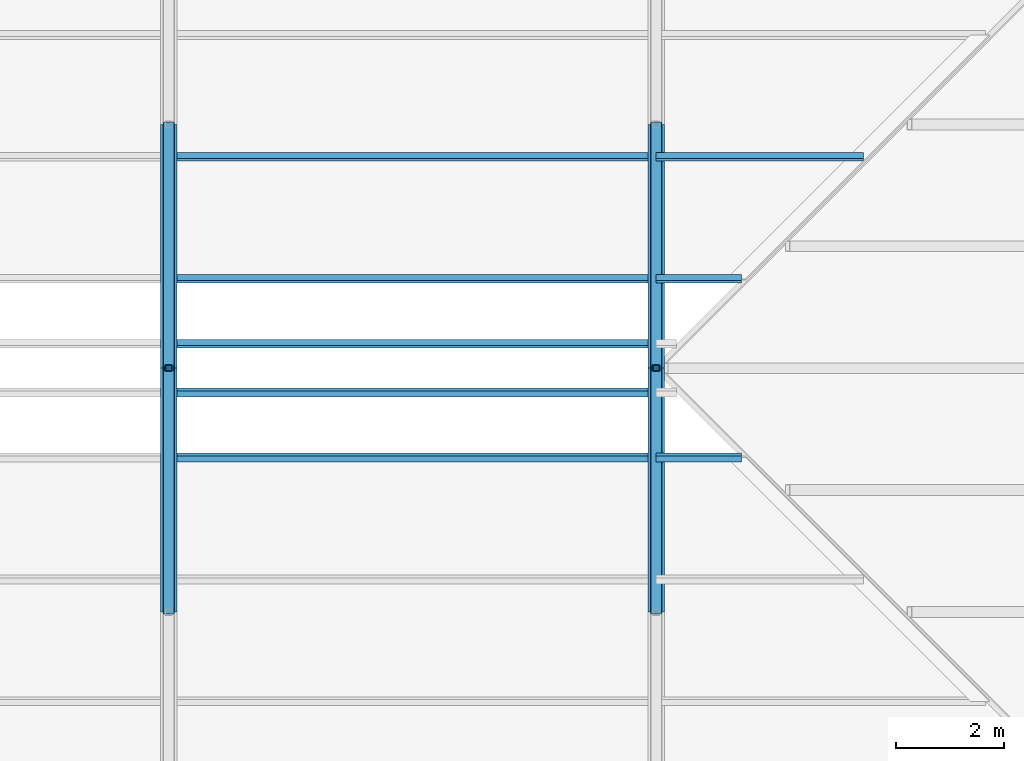
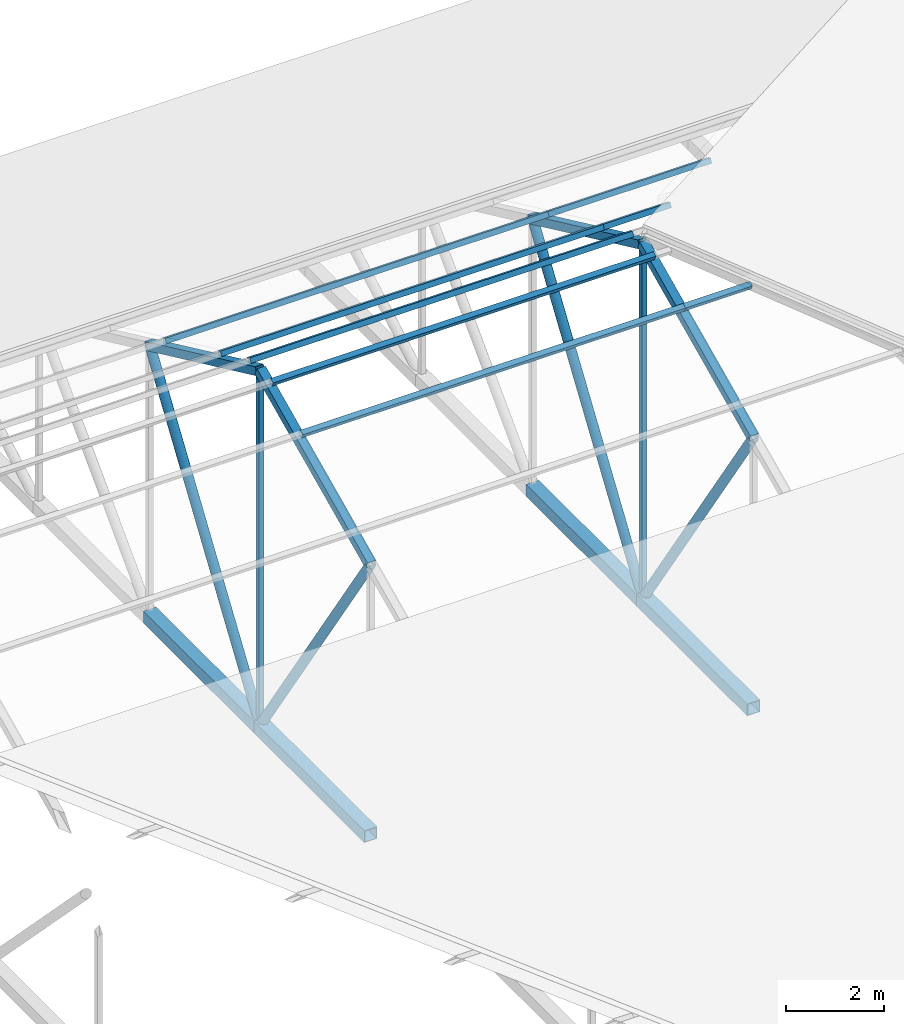
# One storey, part 65 of 154: 22 members.
"""IFC4 building model written with IfcOpenShell, lengths in metres."""

import ifcopenshell
import ifcopenshell.guid

model = None  # the IFC model being written
_history = None  # IfcOwnerHistory: only IFC2X3 demands one
_inside = {}  # id of a spatial element -> (the spatial element, [elements in it])
_under = {}  # id of a project, library or spatial element -> (it, [spatial elements below it])
_declared = {}  # id of a project -> (the project, [libraries it declares])
_typed = {}  # id of a type object -> (the type object, [elements of that type])
_made_of = {}  # id of a material, layer set ... -> (it, [elements and type objects made of it])


def new_model(schema):
    """Start an empty IFC model of exactly this schema.

    Asked for "IFC4X3", IfcOpenShell would pick the latest addendum, in which some entities
    have other attributes; the version numbers below select the first issue.
    IFC2X3 requires an IfcOwnerHistory on every rooted entity: one is made here for all.
    """
    global model, _history
    if schema == "IFC4X3":
        model = ifcopenshell.file(schema_version=(4, 3, 0, 0))
    else:
        model = ifcopenshell.file(schema=schema)
    _inside.clear()
    _under.clear()
    _declared.clear()
    _typed.clear()
    _made_of.clear()
    _history = None
    if model.schema == "IFC2X3":
        org = make("IfcOrganization", Name="unknown")
        user = make(
            "IfcPersonAndOrganization",
            ThePerson=make("IfcPerson", FamilyName="unknown"),
            TheOrganization=org,
        )
        app = make(
            "IfcApplication",
            ApplicationDeveloper=org,
            Version="unknown",
            ApplicationFullName="unknown",
            ApplicationIdentifier="unknown",
        )
        _history = make(
            "IfcOwnerHistory",
            OwningUser=user,
            OwningApplication=app,
            ChangeAction="ADDED",
            CreationDate=0,
        )
    return model


def make(cls, **values):
    """One entity of the class cls with the attributes given. An attribute that is None is left unset."""
    return model.create_entity(
        cls, **{name: value for name, value in values.items() if value is not None}
    )


def rooted(cls, **values):
    """An entity with a GlobalId (a new one), such as an element, a storey or a relation."""
    return make(cls, GlobalId=ifcopenshell.guid.new(), OwnerHistory=_history, **values)


def si_unit(unit_type, name, prefix=None):
    """IfcSIUnit, for example si_unit("LENGTHUNIT", "METRE", prefix="MILLI")."""
    return make("IfcSIUnit", UnitType=unit_type, Prefix=prefix, Name=name)


def assignment(units):
    """IfcUnitAssignment: the units of a project."""
    return None if units is None else make("IfcUnitAssignment", Units=units)


def point(xyz):
    """IfcCartesianPoint."""
    return None if xyz is None else make("IfcCartesianPoint", Coordinates=xyz)


def direction(xyz):
    """IfcDirection."""
    return None if xyz is None else make("IfcDirection", DirectionRatios=xyz)


def frame(location, z_axis=None, x_axis=None):
    """IfcAxis2Placement3D, a coordinate frame: its origin and axes. An axis left out is left unset."""
    return make(
        "IfcAxis2Placement3D",
        Location=point(location),
        Axis=direction(z_axis),
        RefDirection=direction(x_axis),
    )


def frame_2d(location, x_axis=None):
    """IfcAxis2Placement2D, a coordinate frame in the plane: its origin and x axis."""
    return make(
        "IfcAxis2Placement2D", Location=point(location), RefDirection=direction(x_axis)
    )


def origin():
    """The frame at (0, 0, 0) with its axes left unset."""
    return frame((0.0, 0.0, 0.0))


def origin_2d():
    """The frame at (0, 0) in the plane with its x axis left unset."""
    return frame_2d((0.0, 0.0))


def place(relative_to, where):
    """IfcLocalPlacement: puts the frame where relative to a parent placement (None: the world)."""
    return make(
        "IfcLocalPlacement", PlacementRelTo=relative_to, RelativePlacement=where
    )


def context(
    kind, dimensions, precision=None, world=None, true_north=None, identifier=None
):
    """IfcGeometricRepresentationContext, for example the 3D "Model" context."""
    return make(
        "IfcGeometricRepresentationContext",
        ContextIdentifier=identifier,
        ContextType=kind,
        CoordinateSpaceDimension=dimensions,
        Precision=precision,
        WorldCoordinateSystem=world,
        TrueNorth=true_north,
    )


def subcontext(parent, identifier, kind, view, scale=None):
    """IfcGeometricRepresentationSubContext, for example "Body" below "Model"."""
    return make(
        "IfcGeometricRepresentationSubContext",
        ContextIdentifier=identifier,
        ContextType=kind,
        ParentContext=parent,
        TargetScale=scale,
        TargetView=view,
    )


def project(units=None, contexts=None):
    """IfcProject with its units and contexts."""
    return rooted(
        "IfcProject",
        Name="project",
        RepresentationContexts=contexts,
        UnitsInContext=assignment(units),
    )


def spatial(cls, under=None, at=None, **own):
    """A site, building, storey or space (cls), placed at a placement, below another one or the project."""
    s = rooted(cls, ObjectPlacement=at, **own)
    if under is not None:
        _under.setdefault(under.id(), (under, []))[1].append(s)
    return s


def profile(cls, at=None, kind="AREA", **sizes):
    """A parametric profile (cls). Its sizes go by their IFC names, for example OverallWidth=200.0."""
    return make(cls, ProfileType=kind, Position=at, **sizes)


def hollow_rectangle(**sizes):
    """IfcRectangleHollowProfileDef."""
    return profile("IfcRectangleHollowProfileDef", **sizes)


def hollow_circle(**sizes):
    """IfcCircleHollowProfileDef."""
    return profile("IfcCircleHollowProfileDef", **sizes)


def extrude(swept, where, along, depth):
    """IfcExtrudedAreaSolid: the profile swept, set in the frame where, extruded along a direction by depth."""
    return make(
        "IfcExtrudedAreaSolid",
        SweptArea=swept,
        Position=where,
        ExtrudedDirection=direction(along),
        Depth=depth,
    )


def shape(context_of_items, identifier, shape_type, items):
    """IfcShapeRepresentation: the items that make up one representation, for example the "Body"."""
    return make(
        "IfcShapeRepresentation",
        ContextOfItems=context_of_items,
        RepresentationIdentifier=identifier,
        RepresentationType=shape_type,
        Items=items,
    )


def material(Name=None, Category=None):
    """IfcMaterial."""
    return make("IfcMaterial", Name=Name, Category=Category)


def material_profile(
    of_material, cross_section, Name=None, Category=None, Priority=None
):
    """IfcMaterialProfile: a cross section and its material."""
    return make(
        "IfcMaterialProfile",
        Name=Name,
        Material=of_material,
        Profile=cross_section,
        Priority=Priority,
        Category=Category,
    )


def profile_set(profiles, Name=None, composite=None):
    """IfcMaterialProfileSet."""
    return make(
        "IfcMaterialProfileSet",
        Name=Name,
        MaterialProfiles=profiles,
        CompositeProfile=composite,
    )


def made_of(thing, what):
    """Note that an element or type object is made of a material, layer set ...; save() writes the relation."""
    if what is not None:
        _made_of.setdefault(what.id(), (what, []))[1].append(thing)
    return thing


def type_object(cls, material=None, **own):
    """A type object (cls), such as IfcWallType, which elements share."""
    return made_of(rooted(cls, **own), material)


def element(
    cls,
    number,
    at=None,
    inside=None,
    cuts=None,
    type_object=None,
    material=None,
    context=None,
    identifier="Body",
    shape_type=None,
    held_by="IfcProductDefinitionShape",
    body=None,
    shapes=None,
    **own,
):
    """One element of the class cls, such as IfcWall. Its Tag is "e" and its number.

    at: its placement. inside: the storey or other place that contains it. cuts: it is an
    opening in that element (IfcRelVoidsElement). A single representation is given by context,
    identifier, shape_type and body (its items); several are given by shapes. held_by: the class
    of the entity that holds the representations. save() writes the other relations.
    """
    e = rooted(cls, Tag="e%d" % number, ObjectPlacement=at, **own)
    if body is not None:
        shapes = [shape(context, identifier, shape_type, body)]
    if shapes is not None:
        e.Representation = make(held_by, Representations=shapes)
    if inside is not None:
        _inside.setdefault(inside.id(), (inside, []))[1].append(e)
    if cuts is not None:
        rooted(
            "IfcRelVoidsElement", RelatingBuildingElement=cuts, RelatedOpeningElement=e
        )
    if type_object is not None:
        _typed.setdefault(type_object.id(), (type_object, []))[1].append(e)
    return made_of(e, material)


def aggregate(whole, parts):
    """IfcRelAggregates: a whole, such as a stair, and the parts it consists of."""
    return rooted("IfcRelAggregates", RelatingObject=whole, RelatedObjects=parts)


def save(model, path):
    """Write the relations noted so far, then the file.

    IfcRelAggregates (storeys below a building ...), IfcRelContainedInSpatialStructure (elements
    in a storey), IfcRelDefinesByType, IfcRelAssociatesMaterial and IfcRelDeclares: one each for
    every whole, place, type object, material and project.
    """
    for whole, parts in _under.values():
        aggregate(whole, parts)
    for where, things in _inside.values():
        rooted(
            "IfcRelContainedInSpatialStructure",
            RelatedElements=things,
            RelatingStructure=where,
        )
    for kind, things in _typed.values():
        rooted("IfcRelDefinesByType", RelatedObjects=things, RelatingType=kind)
    for what, things in _made_of.values():
        rooted("IfcRelAssociatesMaterial", RelatedObjects=things, RelatingMaterial=what)
    for by, libraries in _declared.values():
        rooted("IfcRelDeclares", RelatingContext=by, RelatedDefinitions=libraries)
    model.write(path)


model = new_model("IFC4")

# Units and contexts
model_context = context("Model", 3, precision=1e-05, world=origin(), true_north=direction((0.0, 1.0)))
body_context = subcontext(model_context, "Body", "Model", "MODEL_VIEW")
ifc_project = project(units=[si_unit("LENGTHUNIT", "METRE"), si_unit("AREAUNIT", "SQUARE_METRE"), si_unit("VOLUMEUNIT", "CUBIC_METRE"), si_unit("PLANEANGLEUNIT", "RADIAN"), si_unit("MASSUNIT", "GRAM", prefix="KILO")], contexts=[model_context])

# Site, building, storey
site_placement = place(None, origin())
site = spatial("IfcSite", under=ifc_project, at=site_placement, CompositionType="ELEMENT")
building_placement = place(site_placement, origin())
building = spatial("IfcBuilding", under=site, at=building_placement, Name="Golden Quay Civic Hall", CompositionType="ELEMENT")
storey_placement = place(building_placement, frame((0.0, 0.0, 14.39990234375)))
storey = spatial("IfcBuildingStorey", under=building, at=storey_placement, Name="L03", CompositionType="ELEMENT", Elevation=14.39990234375)

# Members
ifc_material_1 = material(Name="Steel S355", Category="steel")
ifc_material_profile_1 = material_profile(ifc_material_1, hollow_rectangle(XDim=0.1201171875, YDim=0.1201171875, WallThickness=0.008056640625, at=origin_2d()), Name="SHS 120x120x8")
ifc_profile_set_1 = profile_set([ifc_material_profile_1], Name="Steel S355")
member_type_1 = type_object("IfcMemberType", Name="Steel roof purlin SHS 120x120x8", PredefinedType="PURLIN", material=ifc_profile_set_1)
member_1_placement = place(storey_placement, frame((144.0, 79.35009765625, 8.128662109375), z_axis=(1.0, 0.0, 0.0), x_axis=(0.0, 0.906307787037, 0.422618261741)))
element("IfcMember", 1, at=member_1_placement, inside=storey, type_object=member_type_1, Name="Purlin south 9-3 L03", PredefinedType="PURLIN", context=body_context, shape_type="SweptSolid", body=[
    extrude(hollow_rectangle(XDim=0.1201171875, YDim=0.1201171875, WallThickness=0.008056640625, at=origin_2d()), origin(), (0.0, 0.0, 1.0), 9.0),
])
member_2_placement = place(storey_placement, frame((153.0, 79.35009765625, 8.128662109375), z_axis=(1.0, 0.0, 0.0), x_axis=(0.0, 0.906307787037, 0.422618261741)))
element("IfcMember", 2, at=member_2_placement, inside=storey, type_object=member_type_1, Name="Purlin south 9-4 L03", PredefinedType="PURLIN", context=body_context, shape_type="SweptSolid", body=[
    extrude(hollow_rectangle(XDim=0.1201171875, YDim=0.1201171875, WallThickness=0.008056640625, at=origin_2d()), origin(), (0.0, 0.0, 1.0), 1.574951171875),
])
for number, where, z_axis, x_axis, name in (
    (3, (144.0, 80.550048828125, 8.688232421875), (1.0, 0.0, 0.0), (0.0, 0.906307787037, 0.422618261741), "Purlin south 10-3 L03"),
    (4, (144.0, 84.89990234375, 7.07958984375), (1.0, 0.0, 0.0), (0.0, 0.906307787037, -0.422618261741), "Purlin north 8-3 L03"),
):
    element("IfcMember", number, at=place(storey_placement, frame(where, z_axis=z_axis, x_axis=x_axis)), inside=storey, type_object=member_type_1, Name=name, PredefinedType="PURLIN", context=body_context, shape_type="SweptSolid", body=[
        extrude(hollow_rectangle(XDim=0.1201171875, YDim=0.1201171875, WallThickness=0.008056640625, at=origin_2d()), origin(), (0.0, 0.0, 1.0), 9.0),
    ])
member_3_placement = place(storey_placement, frame((153.0, 84.89990234375, 7.07958984375), z_axis=(1.0, 0.0, 0.0), x_axis=(0.0, 0.906307787037, -0.422618261741)))
element("IfcMember", 5, at=member_3_placement, inside=storey, type_object=member_type_1, Name="Purlin north 8-4 L03", PredefinedType="PURLIN", context=body_context, shape_type="SweptSolid", body=[
    extrude(hollow_rectangle(XDim=0.1201171875, YDim=0.1201171875, WallThickness=0.008056640625, at=origin_2d()), origin(), (0.0, 0.0, 1.0), 3.824951171875),
])
member_4_placement = place(storey_placement, frame((144.0, 82.64990234375, 8.128662109375), z_axis=(1.0, 0.0, 0.0), x_axis=(0.0, 0.906307787037, -0.422618261741)))
element("IfcMember", 6, at=member_4_placement, inside=storey, type_object=member_type_1, Name="Purlin north 9-3 L03", PredefinedType="PURLIN", context=body_context, shape_type="SweptSolid", body=[
    extrude(hollow_rectangle(XDim=0.1201171875, YDim=0.1201171875, WallThickness=0.008056640625, at=origin_2d()), origin(), (0.0, 0.0, 1.0), 9.0),
])
member_5_placement = place(storey_placement, frame((153.0, 82.64990234375, 8.128662109375), z_axis=(1.0, 0.0, 0.0), x_axis=(0.0, 0.906307787037, -0.422618261741)))
element("IfcMember", 7, at=member_5_placement, inside=storey, type_object=member_type_1, Name="Purlin north 9-4 L03", PredefinedType="PURLIN", context=body_context, shape_type="SweptSolid", body=[
    extrude(hollow_rectangle(XDim=0.1201171875, YDim=0.1201171875, WallThickness=0.008056640625, at=origin_2d()), origin(), (0.0, 0.0, 1.0), 1.574951171875),
])
member_6_placement = place(storey_placement, frame((144.0, 81.449951171875, 8.688232421875), z_axis=(1.0, 0.0, 0.0), x_axis=(0.0, 0.906307787037, -0.422618261741)))
element("IfcMember", 8, at=member_6_placement, inside=storey, type_object=member_type_1, Name="Purlin north 10-3 L03", PredefinedType="PURLIN", context=body_context, shape_type="SweptSolid", body=[
    extrude(hollow_rectangle(XDim=0.1201171875, YDim=0.1201171875, WallThickness=0.008056640625, at=origin_2d()), origin(), (0.0, 0.0, 1.0), 9.0),
])
ifc_material_2 = material(Name="Steel S355", Category="steel")
ifc_material_profile_2 = material_profile(ifc_material_2, hollow_rectangle(XDim=0.300048828125, YDim=0.300048828125, WallThickness=0.01611328125, at=origin_2d()), Name="SHS 300x300x16")
ifc_profile_set_2 = profile_set([ifc_material_profile_2], Name="Steel S355")
member_type_2 = type_object("IfcMemberType", Name="Steel truss bottom chord SHS 300x300x16", PredefinedType="USERDEFINED", material=ifc_profile_set_2)
for number, where, z_axis, x_axis, name in (
    (9, (144.0, 76.5, -0.099853515625), (0.0, 1.0, 0.0), (-1.0, 0.0, 0.0), "Truss 144 bottom chord 4 L03"),
    (10, (144.0, 81.0, -0.099853515625), (0.0, 1.0, 0.0), (-1.0, 0.0, 0.0), "Truss 144 bottom chord 5 L03"),
    (11, (153.0, 76.5, -0.099853515625), (0.0, 1.0, 0.0), (-1.0, 0.0, 0.0), "Truss 153 bottom chord 4 L03"),
    (12, (153.0, 81.0, -0.099853515625), (0.0, 1.0, 0.0), (-1.0, 0.0, 0.0), "Truss 153 bottom chord 5 L03"),
):
    element("IfcMember", number, at=place(storey_placement, frame(where, z_axis=z_axis, x_axis=x_axis)), inside=storey, type_object=member_type_2, Name=name, ObjectType="TRUSS BOTTOM CHORD", PredefinedType="USERDEFINED", context=body_context, shape_type="SweptSolid", body=[
        extrude(hollow_rectangle(XDim=0.300048828125, YDim=0.300048828125, WallThickness=0.01611328125, at=origin_2d()), origin(), (0.0, 0.0, 1.0), 4.5),
    ])
ifc_material_3 = material(Name="Steel S355", Category="steel")
ifc_material_profile_3 = material_profile(ifc_material_3, hollow_circle(Radius=0.109619140625, WallThickness=0.010009765625, at=origin_2d()), Name="CHS 219.1x10")
ifc_profile_set_3 = profile_set([ifc_material_profile_3], Name="Steel S355")
member_type_3 = type_object("IfcMemberType", Name="Steel truss diagonal CHS 219.1x10", PredefinedType="BRACE", material=ifc_profile_set_3)
for number, where, z_axis, x_axis, name in (
    (13, (144.0, 76.5, 6.623291015625), (0.0, 0.556231343394, -0.8310274921), (-1.0, 0.0, 0.0), "Truss 144 diagonal 4 L03"),
    (14, (144.0, 81.0, -0.099853515625), (0.0, 0.556231343394, 0.8310274921), (-1.0, 0.0, 0.0), "Truss 144 diagonal 5 L03"),
    (15, (153.0, 76.5, 6.623291015625), (0.0, 0.556231343394, -0.8310274921), (-1.0, 0.0, 0.0), "Truss 153 diagonal 4 L03"),
    (16, (153.0, 81.0, -0.099853515625), (0.0, 0.556231343394, 0.8310274921), (-1.0, 0.0, 0.0), "Truss 153 diagonal 5 L03"),
):
    element("IfcMember", number, at=place(storey_placement, frame(where, z_axis=z_axis, x_axis=x_axis)), inside=storey, type_object=member_type_3, Name=name, PredefinedType="BRACE", context=body_context, shape_type="SweptSolid", body=[
        extrude(hollow_circle(Radius=0.109619140625, WallThickness=0.010009765625, at=origin_2d()), origin(), (0.0, 0.0, 1.0), 8.090087890625),
    ])
ifc_material_4 = material(Name="Steel S355", Category="steel")
ifc_material_profile_4 = material_profile(ifc_material_4, hollow_rectangle(XDim=0.1201171875, YDim=0.1201171875, WallThickness=0.008056640625, at=origin_2d()), Name="SHS 120x120x8")
ifc_profile_set_4 = profile_set([ifc_material_profile_4], Name="Steel S355")
member_type_4 = type_object("IfcMemberType", Name="Steel truss post SHS 120x120x8", PredefinedType="USERDEFINED", material=ifc_profile_set_4)
for number, where, z_axis, x_axis, name in (
    (17, (144.0, 81.0, 0.050048828125), (0.0, 0.0, 1.0), (1.0, 0.0, 0.0), "Truss 144 post 5 L03"),
    (18, (153.0, 81.0, 0.050048828125), (0.0, 0.0, 1.0), (1.0, 0.0, 0.0), "Truss 153 post 5 L03"),
):
    element("IfcMember", number, at=place(storey_placement, frame(where, z_axis=z_axis, x_axis=x_axis)), inside=storey, type_object=member_type_4, Name=name, ObjectType="TRUSS POST", PredefinedType="USERDEFINED", context=body_context, shape_type="SweptSolid", body=[
        extrude(hollow_rectangle(XDim=0.1201171875, YDim=0.1201171875, WallThickness=0.008056640625, at=origin_2d()), origin(), (0.0, 0.0, 1.0), 8.56103515625),
    ])
ifc_material_5 = material(Name="Steel S355", Category="steel")
ifc_material_profile_5 = material_profile(ifc_material_5, hollow_rectangle(XDim=0.199951171875, YDim=0.199951171875, WallThickness=0.010009765625, at=origin_2d()), Name="SHS 200x200x10")
ifc_profile_set_5 = profile_set([ifc_material_profile_5], Name="Steel S355")
member_type_5 = type_object("IfcMemberType", Name="Steel truss top chord SHS 200x200x10", PredefinedType="USERDEFINED", material=ifc_profile_set_5)
for number, where, z_axis, x_axis, name in (
    (19, (144.0, 76.5, 6.623291015625), (0.0, 0.906307462258, 0.422618958231), (-1.0, 0.0, 0.0), "Truss 144 top chord 5 L03"),
    (20, (144.0, 81.0, 8.7216796875), (0.0, 0.906307462258, -0.422618958231), (-1.0, 0.0, 0.0), "Truss 144 top chord 6 L03"),
    (21, (153.0, 76.5, 6.623291015625), (0.0, 0.906307462258, 0.422618958231), (-1.0, 0.0, 0.0), "Truss 153 top chord 5 L03"),
    (22, (153.0, 81.0, 8.7216796875), (0.0, 0.906307462258, -0.422618958231), (-1.0, 0.0, 0.0), "Truss 153 top chord 6 L03"),
):
    element("IfcMember", number, at=place(storey_placement, frame(where, z_axis=z_axis, x_axis=x_axis)), inside=storey, type_object=member_type_5, Name=name, ObjectType="TRUSS TOP CHORD", PredefinedType="USERDEFINED", context=body_context, shape_type="SweptSolid", body=[
        extrude(hollow_rectangle(XDim=0.199951171875, YDim=0.199951171875, WallThickness=0.010009765625, at=origin_2d()), origin(), (0.0, 0.0, 1.0), 4.965087890625),
    ])

save(model, "model.ifc")
